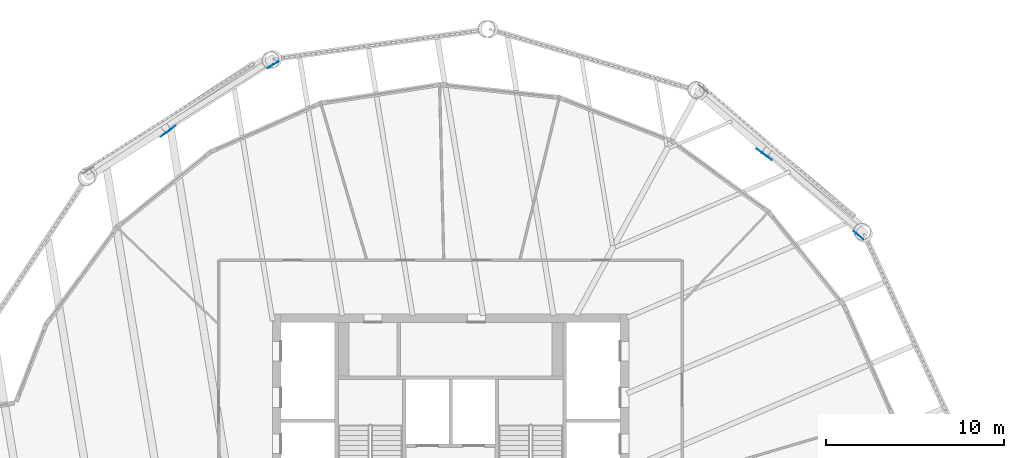
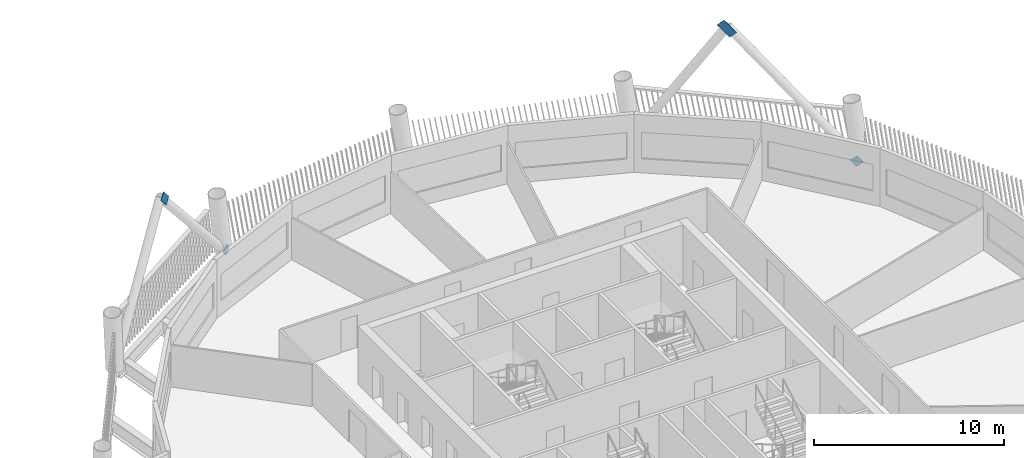
# One storey, part 11 of 23: 4 discrete accessories.
"""IFC4 building model written with IfcOpenShell, lengths in metres."""

from ifc_helpers import new_model, si_unit, direction, frame, origin, origin_2d, place, context, subcontext, project, spatial, rectangle, extrude, material, material_profile, profile_set, type_object, element, save


model = new_model("IFC4")

# Units and contexts
model_context = context("Model", 3, precision=1e-05, world=origin(), true_north=direction((0.0, 1.0)))
body_context = subcontext(model_context, "Body", "Model", "MODEL_VIEW")
ifc_project = project(units=[si_unit("LENGTHUNIT", "METRE"), si_unit("AREAUNIT", "SQUARE_METRE"), si_unit("VOLUMEUNIT", "CUBIC_METRE"), si_unit("PLANEANGLEUNIT", "RADIAN"), si_unit("MASSUNIT", "GRAM", prefix="KILO")], contexts=[model_context])

# Site, building, storey
site_placement = place(None, origin())
site = spatial("IfcSite", under=ifc_project, at=site_placement, CompositionType="ELEMENT")
building_placement = place(site_placement, origin())
building = spatial("IfcBuilding", under=site, at=building_placement, Name="Tarsis Ring Headquarters", CompositionType="ELEMENT")
storey_placement = place(building_placement, frame((0.0, 0.0, 323.60009765625)))
storey = spatial("IfcBuildingStorey", under=building, at=storey_placement, Name="L76", CompositionType="ELEMENT", Elevation=323.60009765625)

# Discrete accessories
ifc_material = material(Name="Structural steel S355", Category="steel")
ifc_material_profile = material_profile(ifc_material, rectangle(XDim=0.02490234375, YDim=0.5, at=origin_2d()), Name="PL 25x500")
ifc_profile_set = profile_set([ifc_material_profile], Name="Structural steel S355")
discrete_accessory_type = type_object("IfcDiscreteAccessoryType", Name="Gusset plate Exo brace 25", PredefinedType="BRACKET", material=ifc_profile_set)
discrete_accessory_1_placement = place(storey_placement, frame((23.020263671875, 17.286865234375, 0.0), z_axis=(-0.513123529218, 0.440378138301, 0.736730167069), x_axis=(-0.651266933069, -0.758848721348, 0.0)))
element("IfcDiscreteAccessory", 1, at=discrete_accessory_1_placement, inside=storey, type_object=discrete_accessory_type, Name="Gusset plate GP5", PredefinedType="BRACKET", context=body_context, shape_type="SweptSolid", body=[
    extrude(rectangle(XDim=0.02490234375, YDim=0.5, at=origin_2d()), origin(), (0.0, 0.0, 1.0), 0.5),
])
discrete_accessory_2_placement = place(storey_placement, frame((17.877197265625, 21.735107421875, 7.431396484375), z_axis=(-0.541186949768, 0.404974808149, 0.736961389874), x_axis=(-0.599132909472, -0.800649584267, 0.0)))
element("IfcDiscreteAccessory", 2, at=discrete_accessory_2_placement, inside=storey, type_object=discrete_accessory_type, Name="Gusset plate GP5", PredefinedType="BRACKET", context=body_context, shape_type="SweptSolid", body=[
    extrude(rectangle(XDim=0.02490234375, YDim=0.5, at=origin_2d()), origin(), (0.0, 0.0, 1.0), 1.000244140625),
])
discrete_accessory_3_placement = place(storey_placement, frame((-9.81396484375, 27.063720703125, 0.0), z_axis=(-0.570908390431, -0.361884617031, 0.736955313226), x_axis=(0.535378630987, -0.844612172232, 0.0)))
element("IfcDiscreteAccessory", 3, at=discrete_accessory_3_placement, inside=storey, type_object=discrete_accessory_type, Name="Gusset plate GP5", PredefinedType="BRACKET", context=body_context, shape_type="SweptSolid", body=[
    extrude(rectangle(XDim=0.02490234375, YDim=0.5, at=origin_2d()), origin(), (0.0, 0.0, 1.0), 0.5),
])
discrete_accessory_4_placement = place(storey_placement, frame((-15.56982421875, 23.443359375, 7.431396484375), z_axis=(-0.545338699306, -0.399361733243, 0.736963980844), x_axis=(0.590831213036, -0.806795189439, 0.0)))
element("IfcDiscreteAccessory", 4, at=discrete_accessory_4_placement, inside=storey, type_object=discrete_accessory_type, Name="Gusset plate GP5", PredefinedType="BRACKET", context=body_context, shape_type="SweptSolid", body=[
    extrude(rectangle(XDim=0.02490234375, YDim=0.5, at=origin_2d()), origin(), (0.0, 0.0, 1.0), 1.000244140625),
])

save(model, "model.ifc")
